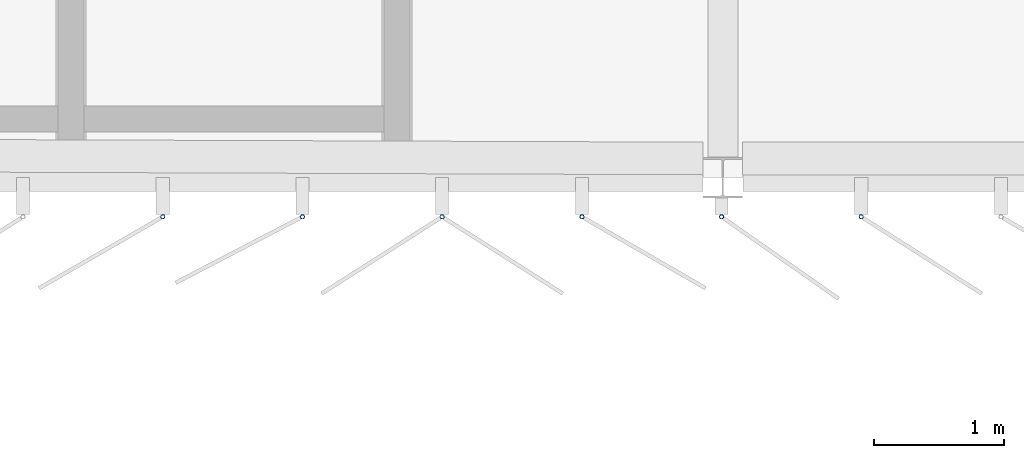
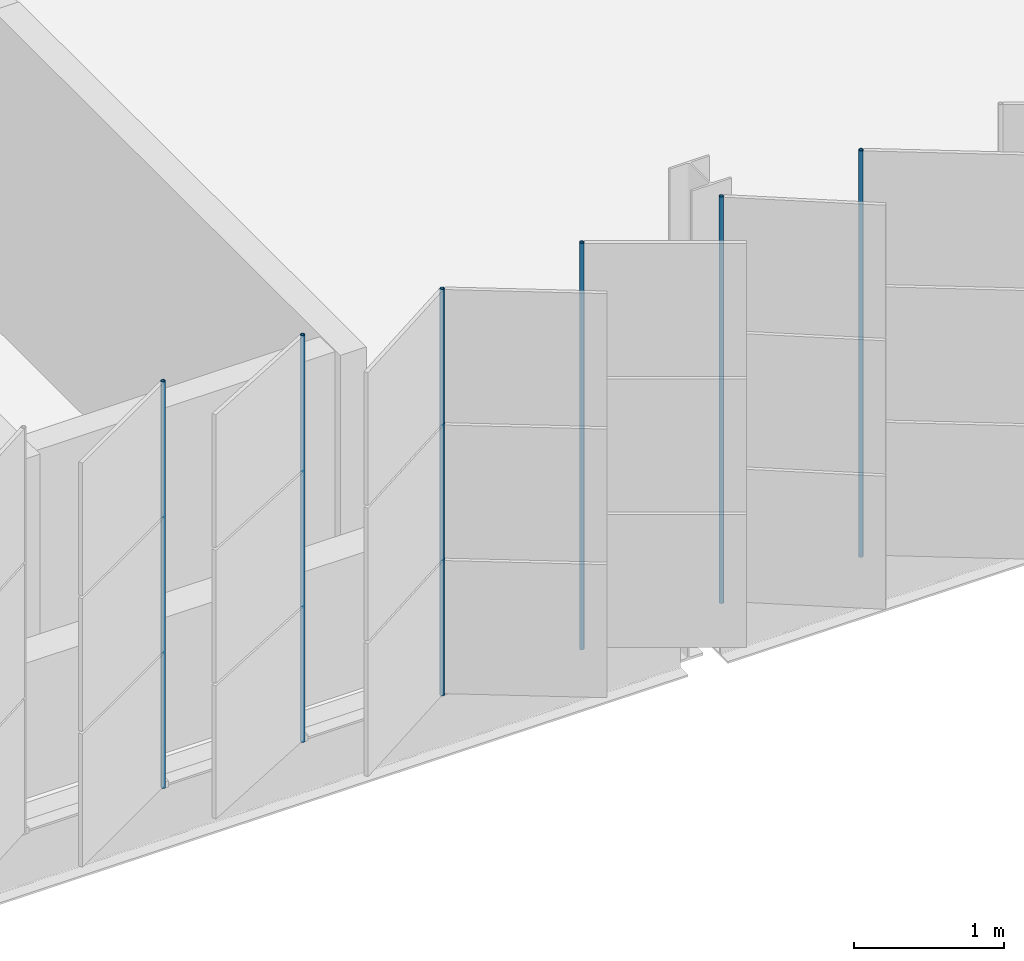
# One storey, part 96 of 214: 6 discrete accessories.
"""IFC4 building model written with IfcOpenShell, lengths in metres."""

import ifcopenshell
import ifcopenshell.guid

model = None  # the IFC model being written
_history = None  # IfcOwnerHistory: only IFC2X3 demands one
_inside = {}  # id of a spatial element -> (the spatial element, [elements in it])
_under = {}  # id of a project, library or spatial element -> (it, [spatial elements below it])
_declared = {}  # id of a project -> (the project, [libraries it declares])
_typed = {}  # id of a type object -> (the type object, [elements of that type])
_made_of = {}  # id of a material, layer set ... -> (it, [elements and type objects made of it])


def new_model(schema):
    """Start an empty IFC model of exactly this schema.

    Asked for "IFC4X3", IfcOpenShell would pick the latest addendum, in which some entities
    have other attributes; the version numbers below select the first issue.
    IFC2X3 requires an IfcOwnerHistory on every rooted entity: one is made here for all.
    """
    global model, _history
    if schema == "IFC4X3":
        model = ifcopenshell.file(schema_version=(4, 3, 0, 0))
    else:
        model = ifcopenshell.file(schema=schema)
    _inside.clear()
    _under.clear()
    _declared.clear()
    _typed.clear()
    _made_of.clear()
    _history = None
    if model.schema == "IFC2X3":
        org = make("IfcOrganization", Name="unknown")
        user = make(
            "IfcPersonAndOrganization",
            ThePerson=make("IfcPerson", FamilyName="unknown"),
            TheOrganization=org,
        )
        app = make(
            "IfcApplication",
            ApplicationDeveloper=org,
            Version="unknown",
            ApplicationFullName="unknown",
            ApplicationIdentifier="unknown",
        )
        _history = make(
            "IfcOwnerHistory",
            OwningUser=user,
            OwningApplication=app,
            ChangeAction="ADDED",
            CreationDate=0,
        )
    return model


def make(cls, **values):
    """One entity of the class cls with the attributes given. An attribute that is None is left unset."""
    return model.create_entity(
        cls, **{name: value for name, value in values.items() if value is not None}
    )


def rooted(cls, **values):
    """An entity with a GlobalId (a new one), such as an element, a storey or a relation."""
    return make(cls, GlobalId=ifcopenshell.guid.new(), OwnerHistory=_history, **values)


def si_unit(unit_type, name, prefix=None):
    """IfcSIUnit, for example si_unit("LENGTHUNIT", "METRE", prefix="MILLI")."""
    return make("IfcSIUnit", UnitType=unit_type, Prefix=prefix, Name=name)


def assignment(units):
    """IfcUnitAssignment: the units of a project."""
    return None if units is None else make("IfcUnitAssignment", Units=units)


def point(xyz):
    """IfcCartesianPoint."""
    return None if xyz is None else make("IfcCartesianPoint", Coordinates=xyz)


def direction(xyz):
    """IfcDirection."""
    return None if xyz is None else make("IfcDirection", DirectionRatios=xyz)


def frame(location, z_axis=None, x_axis=None):
    """IfcAxis2Placement3D, a coordinate frame: its origin and axes. An axis left out is left unset."""
    return make(
        "IfcAxis2Placement3D",
        Location=point(location),
        Axis=direction(z_axis),
        RefDirection=direction(x_axis),
    )


def frame_2d(location, x_axis=None):
    """IfcAxis2Placement2D, a coordinate frame in the plane: its origin and x axis."""
    return make(
        "IfcAxis2Placement2D", Location=point(location), RefDirection=direction(x_axis)
    )


def origin():
    """The frame at (0, 0, 0) with its axes left unset."""
    return frame((0.0, 0.0, 0.0))


def origin_2d():
    """The frame at (0, 0) in the plane with its x axis left unset."""
    return frame_2d((0.0, 0.0))


def place(relative_to, where):
    """IfcLocalPlacement: puts the frame where relative to a parent placement (None: the world)."""
    return make(
        "IfcLocalPlacement", PlacementRelTo=relative_to, RelativePlacement=where
    )


def context(
    kind, dimensions, precision=None, world=None, true_north=None, identifier=None
):
    """IfcGeometricRepresentationContext, for example the 3D "Model" context."""
    return make(
        "IfcGeometricRepresentationContext",
        ContextIdentifier=identifier,
        ContextType=kind,
        CoordinateSpaceDimension=dimensions,
        Precision=precision,
        WorldCoordinateSystem=world,
        TrueNorth=true_north,
    )


def subcontext(parent, identifier, kind, view, scale=None):
    """IfcGeometricRepresentationSubContext, for example "Body" below "Model"."""
    return make(
        "IfcGeometricRepresentationSubContext",
        ContextIdentifier=identifier,
        ContextType=kind,
        ParentContext=parent,
        TargetScale=scale,
        TargetView=view,
    )


def project(units=None, contexts=None):
    """IfcProject with its units and contexts."""
    return rooted(
        "IfcProject",
        Name="project",
        RepresentationContexts=contexts,
        UnitsInContext=assignment(units),
    )


def spatial(cls, under=None, at=None, **own):
    """A site, building, storey or space (cls), placed at a placement, below another one or the project."""
    s = rooted(cls, ObjectPlacement=at, **own)
    if under is not None:
        _under.setdefault(under.id(), (under, []))[1].append(s)
    return s


def profile(cls, at=None, kind="AREA", **sizes):
    """A parametric profile (cls). Its sizes go by their IFC names, for example OverallWidth=200.0."""
    return make(cls, ProfileType=kind, Position=at, **sizes)


def hollow_circle(**sizes):
    """IfcCircleHollowProfileDef."""
    return profile("IfcCircleHollowProfileDef", **sizes)


def extrude(swept, where, along, depth):
    """IfcExtrudedAreaSolid: the profile swept, set in the frame where, extruded along a direction by depth."""
    return make(
        "IfcExtrudedAreaSolid",
        SweptArea=swept,
        Position=where,
        ExtrudedDirection=direction(along),
        Depth=depth,
    )


def shape(context_of_items, identifier, shape_type, items):
    """IfcShapeRepresentation: the items that make up one representation, for example the "Body"."""
    return make(
        "IfcShapeRepresentation",
        ContextOfItems=context_of_items,
        RepresentationIdentifier=identifier,
        RepresentationType=shape_type,
        Items=items,
    )


def material(Name=None, Category=None):
    """IfcMaterial."""
    return make("IfcMaterial", Name=Name, Category=Category)


def material_profile(
    of_material, cross_section, Name=None, Category=None, Priority=None
):
    """IfcMaterialProfile: a cross section and its material."""
    return make(
        "IfcMaterialProfile",
        Name=Name,
        Material=of_material,
        Profile=cross_section,
        Priority=Priority,
        Category=Category,
    )


def profile_set(profiles, Name=None, composite=None):
    """IfcMaterialProfileSet."""
    return make(
        "IfcMaterialProfileSet",
        Name=Name,
        MaterialProfiles=profiles,
        CompositeProfile=composite,
    )


def made_of(thing, what):
    """Note that an element or type object is made of a material, layer set ...; save() writes the relation."""
    if what is not None:
        _made_of.setdefault(what.id(), (what, []))[1].append(thing)
    return thing


def type_object(cls, material=None, **own):
    """A type object (cls), such as IfcWallType, which elements share."""
    return made_of(rooted(cls, **own), material)


def element(
    cls,
    number,
    at=None,
    inside=None,
    cuts=None,
    type_object=None,
    material=None,
    context=None,
    identifier="Body",
    shape_type=None,
    held_by="IfcProductDefinitionShape",
    body=None,
    shapes=None,
    **own,
):
    """One element of the class cls, such as IfcWall. Its Tag is "e" and its number.

    at: its placement. inside: the storey or other place that contains it. cuts: it is an
    opening in that element (IfcRelVoidsElement). A single representation is given by context,
    identifier, shape_type and body (its items); several are given by shapes. held_by: the class
    of the entity that holds the representations. save() writes the other relations.
    """
    e = rooted(cls, Tag="e%d" % number, ObjectPlacement=at, **own)
    if body is not None:
        shapes = [shape(context, identifier, shape_type, body)]
    if shapes is not None:
        e.Representation = make(held_by, Representations=shapes)
    if inside is not None:
        _inside.setdefault(inside.id(), (inside, []))[1].append(e)
    if cuts is not None:
        rooted(
            "IfcRelVoidsElement", RelatingBuildingElement=cuts, RelatedOpeningElement=e
        )
    if type_object is not None:
        _typed.setdefault(type_object.id(), (type_object, []))[1].append(e)
    return made_of(e, material)


def aggregate(whole, parts):
    """IfcRelAggregates: a whole, such as a stair, and the parts it consists of."""
    return rooted("IfcRelAggregates", RelatingObject=whole, RelatedObjects=parts)


def save(model, path):
    """Write the relations noted so far, then the file.

    IfcRelAggregates (storeys below a building ...), IfcRelContainedInSpatialStructure (elements
    in a storey), IfcRelDefinesByType, IfcRelAssociatesMaterial and IfcRelDeclares: one each for
    every whole, place, type object, material and project.
    """
    for whole, parts in _under.values():
        aggregate(whole, parts)
    for where, things in _inside.values():
        rooted(
            "IfcRelContainedInSpatialStructure",
            RelatedElements=things,
            RelatingStructure=where,
        )
    for kind, things in _typed.values():
        rooted("IfcRelDefinesByType", RelatedObjects=things, RelatingType=kind)
    for what, things in _made_of.values():
        rooted("IfcRelAssociatesMaterial", RelatedObjects=things, RelatingMaterial=what)
    for by, libraries in _declared.values():
        rooted("IfcRelDeclares", RelatingContext=by, RelatedDefinitions=libraries)
    model.write(path)


model = new_model("IFC4")

# Units and contexts
model_context = context("Model", 3, precision=1e-05, world=origin(), true_north=direction((0.0, 1.0)))
body_context = subcontext(model_context, "Body", "Model", "MODEL_VIEW")
ifc_project = project(units=[si_unit("LENGTHUNIT", "METRE"), si_unit("AREAUNIT", "SQUARE_METRE"), si_unit("VOLUMEUNIT", "CUBIC_METRE"), si_unit("PLANEANGLEUNIT", "RADIAN"), si_unit("MASSUNIT", "GRAM", prefix="KILO")], contexts=[model_context])

# Site, building, storey
site_placement = place(None, origin())
site = spatial("IfcSite", under=ifc_project, at=site_placement, CompositionType="ELEMENT")
building_placement = place(site_placement, origin())
building = spatial("IfcBuilding", under=site, at=building_placement, Name="Parallax Yard Mobility Hub", CompositionType="ELEMENT")
storey_placement = place(building_placement, frame((0.0, 0.0, 3.300048828125)))
storey = spatial("IfcBuildingStorey", under=building, at=storey_placement, Name="L01", CompositionType="ELEMENT", Elevation=3.300048828125)

# Discrete accessories
ifc_material = material(Name="Steel ASTM A500 Gr C, hot-dip galvanised", Category="steel")
ifc_material_profile = material_profile(ifc_material, hollow_circle(Radius=0.016845703125, WallThickness=0.003173828125, at=origin_2d()), Name="CHS 33.7x3.2")
ifc_profile_set = profile_set([ifc_material_profile], Name="Steel ASTM A500 Gr C, hot-dip galvanised")
discrete_accessory_type = type_object("IfcDiscreteAccessoryType", Name="Hinge post CHS 33.7x3.2", PredefinedType="BRACKET", material=ifc_profile_set)
for number, where, z_axis, x_axis, name in (
    (1, (93.203857421875, 112.199951171875, 0.0), (0.0, 0.0, 1.0), (1.0, 0.0, 0.0), "Hinge post bay 8.4 level L01"),
    (2, (94.275390625, 112.199951171875, 0.0), (0.0, 0.0, 1.0), (1.0, 0.0, 0.0), "Hinge post bay 8.5 level L01"),
    (3, (95.346923828125, 112.199951171875, 0.0), (0.0, 0.0, 1.0), (1.0, 0.0, 0.0), "Hinge post bay 8.6 level L01"),
    (4, (96.41845703125, 112.199951171875, 0.0), (0.0, 0.0, 1.0), (1.0, 0.0, 0.0), "Hinge post bay 8.7 level L01"),
    (5, (97.489990234375, 112.199951171875, 0.0), (0.0, 0.0, 1.0), (1.0, 0.0, 0.0), "Hinge post bay 9.1 level L01"),
    (6, (98.561279296875, 112.199951171875, 0.0), (0.0, 0.0, 1.0), (1.0, 0.0, 0.0), "Hinge post bay 9.2 level L01"),
):
    element("IfcDiscreteAccessory", number, at=place(storey_placement, frame(where, z_axis=z_axis, x_axis=x_axis)), inside=storey, type_object=discrete_accessory_type, Name=name, PredefinedType="BRACKET", context=body_context, shape_type="SweptSolid", body=[
        extrude(hollow_circle(Radius=0.016845703125, WallThickness=0.003173828125, at=origin_2d()), origin(), (0.0, 0.0, 1.0), 3.300048828125),
    ])

save(model, "model.ifc")
